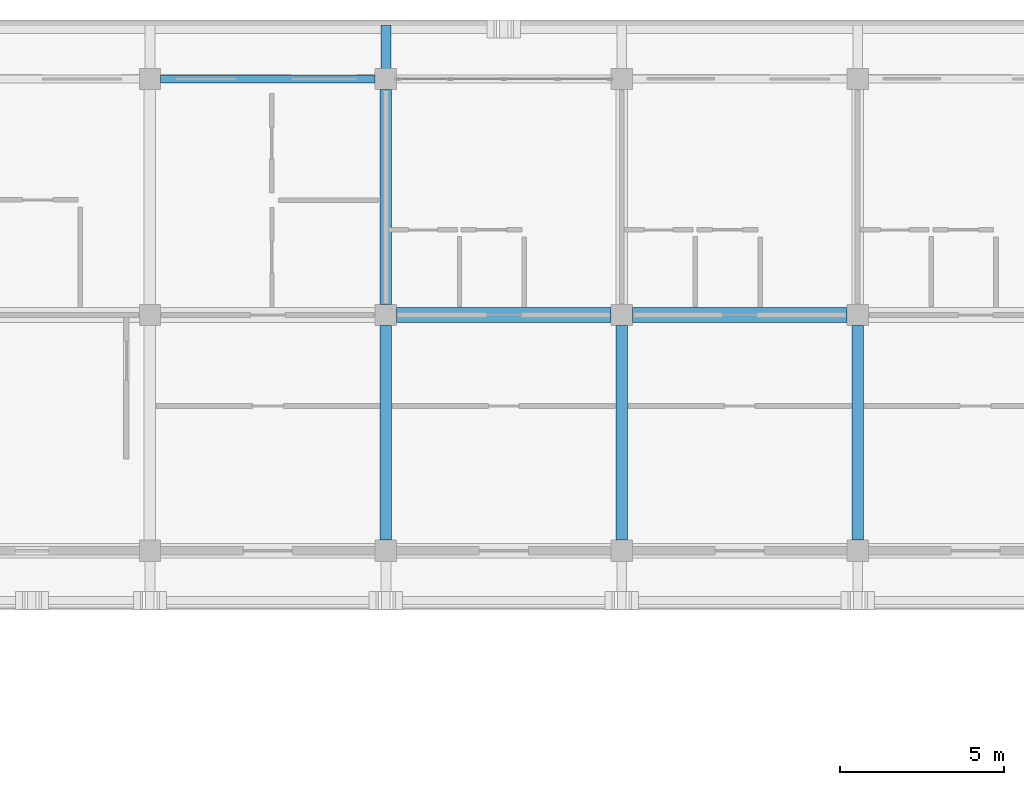
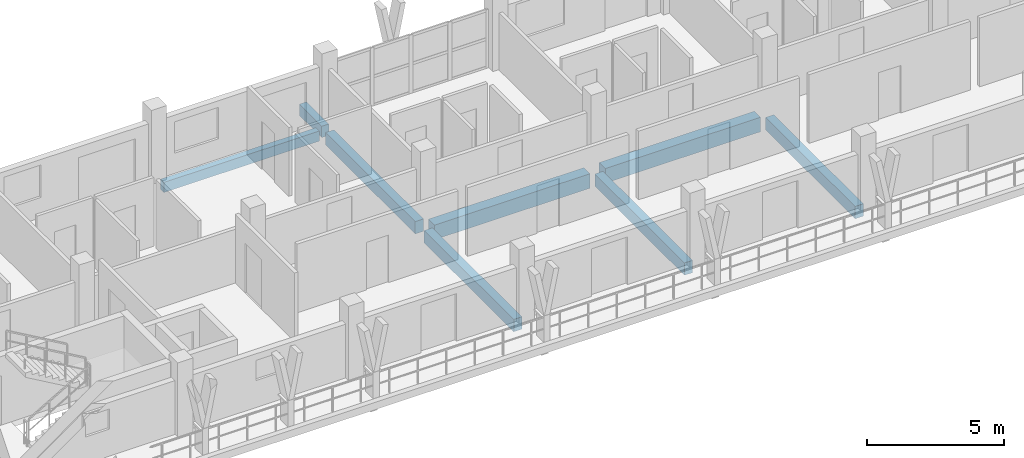
# One storey, part 19 of 75: 8 beams.
"""IFC4 building model written with IfcOpenShell, lengths in metres."""

from ifc_helpers import new_model, si_unit, direction, frame, origin, origin_2d, place, context, subcontext, project, spatial, rectangle, extrude, material, material_profile, profile_set, type_object, element, save


model = new_model("IFC4")

# Units and contexts
model_context = context("Model", 3, precision=1e-05, world=origin(), true_north=direction((0.0, 1.0)))
body_context = subcontext(model_context, "Body", "Model", "MODEL_VIEW")
ifc_project = project(units=[si_unit("LENGTHUNIT", "METRE"), si_unit("AREAUNIT", "SQUARE_METRE"), si_unit("VOLUMEUNIT", "CUBIC_METRE"), si_unit("PLANEANGLEUNIT", "RADIAN"), si_unit("MASSUNIT", "GRAM", prefix="KILO")], contexts=[model_context])

# Site, building, storey
site_placement = place(None, origin())
site = spatial("IfcSite", under=ifc_project, at=site_placement, CompositionType="ELEMENT")
building_placement = place(site_placement, origin())
building = spatial("IfcBuilding", under=site, at=building_placement, Name="Suanplinth Sawtooth Commons", CompositionType="ELEMENT")
storey_placement = place(building_placement, frame((0.0, 0.0, 18.60009765625)))
storey = spatial("IfcBuildingStorey", under=building, at=storey_placement, Name="L05", CompositionType="ELEMENT", Elevation=18.60009765625)

# Beams
ifc_material = material(Name="Precast concrete C40/50", Category="concrete")
ifc_material_profile_1 = material_profile(ifc_material, rectangle(XDim=0.449951171875, YDim=0.64990234375, at=origin_2d()), Name="PC-GDR 450x650")
ifc_profile_set_1 = profile_set([ifc_material_profile_1], Name="Precast concrete C40/50")
beam_type_1 = type_object("IfcBeamType", Name="B-04", PredefinedType="USERDEFINED", material=ifc_profile_set_1)
beam_1_placement = place(storey_placement, frame((79.52490234375, 115.199951171875, -0.5751953125), z_axis=(1.0, 0.0, 0.0), x_axis=(0.0, 1.0, 0.0)))
element("IfcBeam", 1, at=beam_1_placement, inside=storey, type_object=beam_type_1, Name="BMX-L05-A-11-16", ObjectType="GIRDER", PredefinedType="USERDEFINED", context=body_context, shape_type="SweptSolid", body=[
    extrude(rectangle(XDim=0.449951171875, YDim=0.64990234375, at=origin_2d()), origin(), (0.0, 0.0, 1.0), 6.550048828125),
])
beam_2_placement = place(storey_placement, frame((86.72509765625, 115.199951171875, -0.5751953125), z_axis=(1.0, 0.0, 0.0), x_axis=(0.0, 1.0, 0.0)))
element("IfcBeam", 2, at=beam_2_placement, inside=storey, type_object=beam_type_1, Name="BMX-L05-A-12-16", ObjectType="GIRDER", PredefinedType="USERDEFINED", context=body_context, shape_type="SweptSolid", body=[
    extrude(rectangle(XDim=0.449951171875, YDim=0.64990234375, at=origin_2d()), origin(), (0.0, 0.0, 1.0), 6.5498046875),
])
ifc_material_profile_2 = material_profile(ifc_material, rectangle(XDim=0.35009765625, YDim=0.550048828125, at=origin_2d()), Name="PC-BM 350x550")
ifc_profile_set_2 = profile_set([ifc_material_profile_2], Name="Precast concrete C40/50")
beam_type_2 = type_object("IfcBeamType", Name="B-06", PredefinedType="BEAM", material=ifc_profile_set_2)
for number, where, z_axis, x_axis, name in (
    (3, (79.199951171875, 108.324951171875, -0.525146484375), (0.0, 1.0, 0.0), (-1.0, 0.0, 0.0), "BMY-L05-A-11-15"),
    (4, (79.199951171875, 115.52490234375, -0.525146484375), (0.0, 1.0, 0.0), (-1.0, 0.0, 0.0), "BMY-L05-A-11-16"),
    (5, (86.39990234375, 108.324951171875, -0.525146484375), (0.0, 1.0, 0.0), (-1.0, 0.0, 0.0), "BMY-L05-A-12-15"),
    (6, (93.60009765625, 108.324951171875, -0.525146484375), (0.0, 1.0, 0.0), (-1.0, 0.0, 0.0), "BMY-L05-A-13-15"),
):
    element("IfcBeam", number, at=place(storey_placement, frame(where, z_axis=z_axis, x_axis=x_axis)), inside=storey, type_object=beam_type_2, Name=name, PredefinedType="BEAM", context=body_context, shape_type="SweptSolid", body=[
        extrude(rectangle(XDim=0.35009765625, YDim=0.550048828125, at=origin_2d()), origin(), (0.0, 0.0, 1.0), 6.550048828125),
    ])
ifc_material_profile_3 = material_profile(ifc_material, rectangle(XDim=0.300048828125, YDim=0.5, at=origin_2d()), Name="PC-BM 300x500")
ifc_profile_set_3 = profile_set([ifc_material_profile_3], Name="Precast concrete C40/50")
beam_type_3 = type_object("IfcBeamType", Name="B-07", PredefinedType="BEAM", material=ifc_profile_set_3)
beam_3_placement = place(storey_placement, frame((79.199951171875, 122.39990234375, -0.43017578125), z_axis=(0.0, 1.0, 0.0), x_axis=(-1.0, 0.0, 0.0)))
element("IfcBeam", 7, at=beam_3_placement, inside=storey, type_object=beam_type_3, Name="Balcony Outrigger L05-A-N-11", PredefinedType="BEAM", context=body_context, shape_type="SweptSolid", body=[
    extrude(rectangle(XDim=0.300048828125, YDim=0.5, at=origin_2d()), origin(), (0.0, 0.0, 1.0), 1.64013671875),
])
ifc_material_profile_4 = material_profile(ifc_material, rectangle(XDim=0.25, YDim=0.449951171875, at=origin_2d()), Name="PC-SP 250x450")
ifc_profile_set_4 = profile_set([ifc_material_profile_4], Name="Precast concrete C40/50")
beam_type_4 = type_object("IfcBeamType", Name="B-09", PredefinedType="SPANDREL", material=ifc_profile_set_4)
beam_4_placement = place(storey_placement, frame((72.324951171875, 122.39990234375, -0.47509765625), z_axis=(1.0, 0.0, 0.0), x_axis=(0.0, 1.0, 0.0)))
element("IfcBeam", 8, at=beam_4_placement, inside=storey, type_object=beam_type_4, Name="BMX-L05-A-10-17", PredefinedType="SPANDREL", context=body_context, shape_type="SweptSolid", body=[
    extrude(rectangle(XDim=0.25, YDim=0.449951171875, at=origin_2d()), origin(), (0.0, 0.0, 1.0), 6.550048828125),
])

save(model, "model.ifc")
